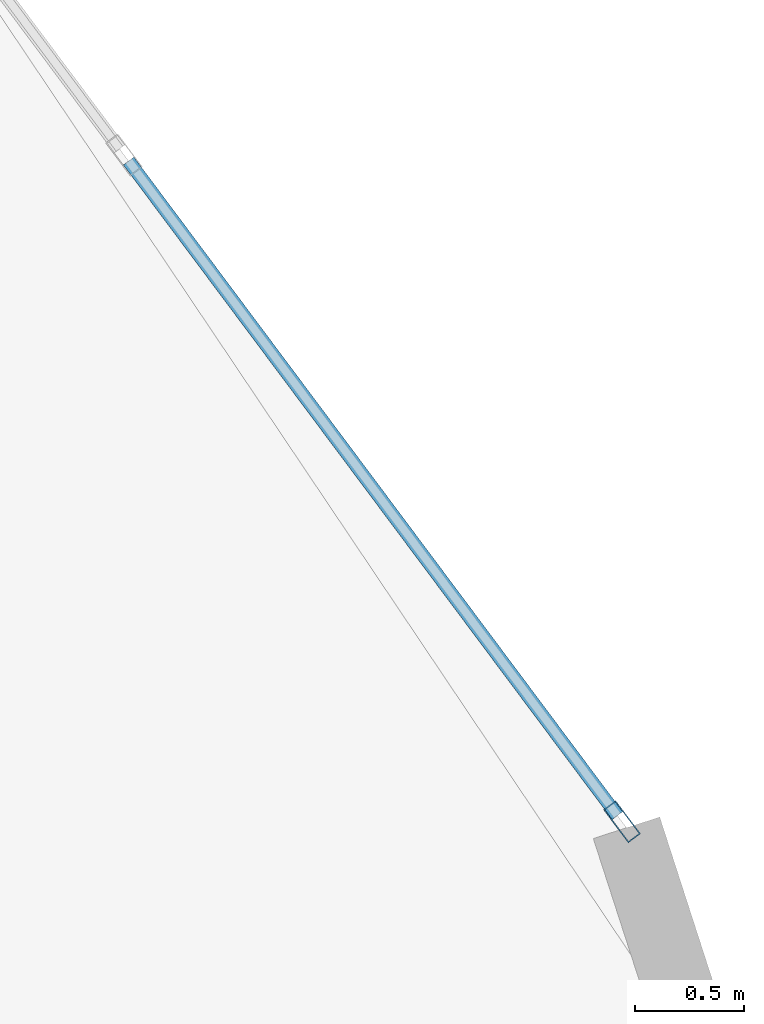
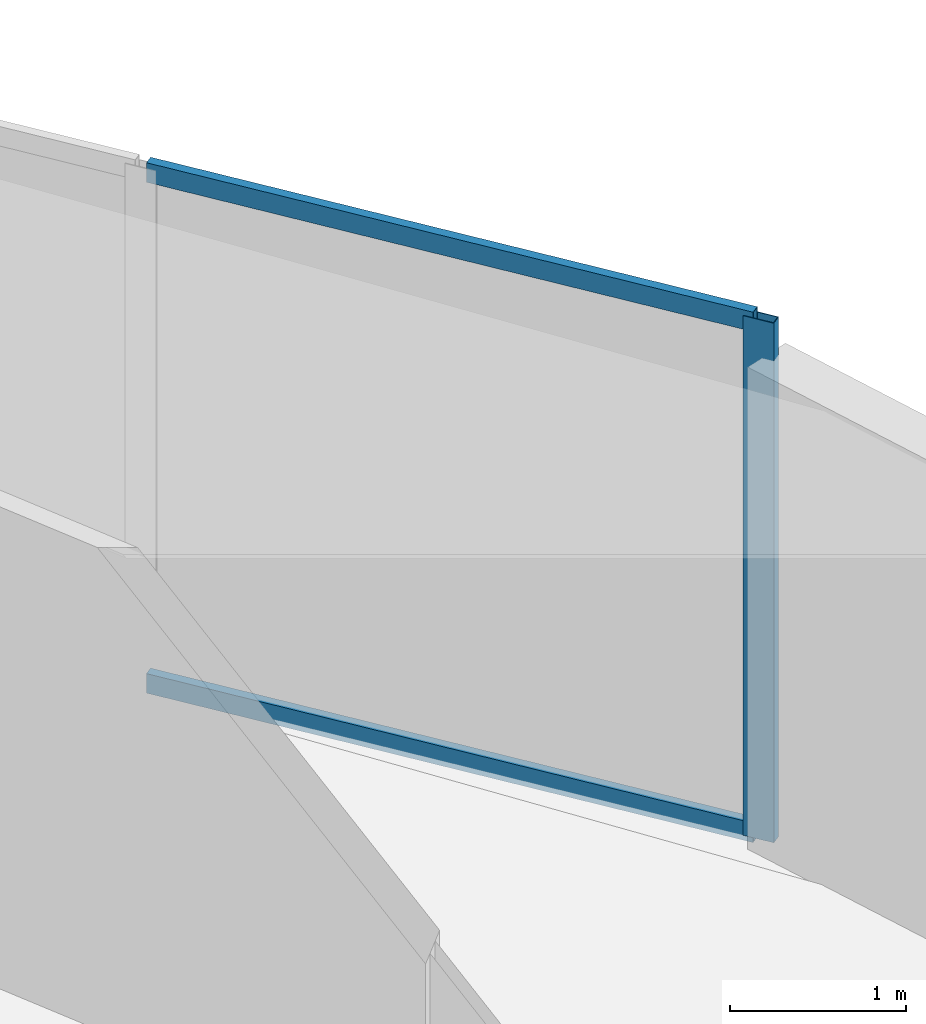
# One storey, part 12 of 25: 3 members, 1 element without a shape of its own.
"""IFC4 building model written with IfcOpenShell, lengths in metres."""

import ifcopenshell
import ifcopenshell.guid

model = None  # the IFC model being written
_history = None  # IfcOwnerHistory: only IFC2X3 demands one
_inside = {}  # id of a spatial element -> (the spatial element, [elements in it])
_under = {}  # id of a project, library or spatial element -> (it, [spatial elements below it])
_declared = {}  # id of a project -> (the project, [libraries it declares])
_typed = {}  # id of a type object -> (the type object, [elements of that type])
_made_of = {}  # id of a material, layer set ... -> (it, [elements and type objects made of it])


def new_model(schema):
    """Start an empty IFC model of exactly this schema.

    Asked for "IFC4X3", IfcOpenShell would pick the latest addendum, in which some entities
    have other attributes; the version numbers below select the first issue.
    IFC2X3 requires an IfcOwnerHistory on every rooted entity: one is made here for all.
    """
    global model, _history
    if schema == "IFC4X3":
        model = ifcopenshell.file(schema_version=(4, 3, 0, 0))
    else:
        model = ifcopenshell.file(schema=schema)
    _inside.clear()
    _under.clear()
    _declared.clear()
    _typed.clear()
    _made_of.clear()
    _history = None
    if model.schema == "IFC2X3":
        org = make("IfcOrganization", Name="unknown")
        user = make(
            "IfcPersonAndOrganization",
            ThePerson=make("IfcPerson", FamilyName="unknown"),
            TheOrganization=org,
        )
        app = make(
            "IfcApplication",
            ApplicationDeveloper=org,
            Version="unknown",
            ApplicationFullName="unknown",
            ApplicationIdentifier="unknown",
        )
        _history = make(
            "IfcOwnerHistory",
            OwningUser=user,
            OwningApplication=app,
            ChangeAction="ADDED",
            CreationDate=0,
        )
    return model


def make(cls, **values):
    """One entity of the class cls with the attributes given. An attribute that is None is left unset."""
    return model.create_entity(
        cls, **{name: value for name, value in values.items() if value is not None}
    )


def rooted(cls, **values):
    """An entity with a GlobalId (a new one), such as an element, a storey or a relation."""
    return make(cls, GlobalId=ifcopenshell.guid.new(), OwnerHistory=_history, **values)


def si_unit(unit_type, name, prefix=None):
    """IfcSIUnit, for example si_unit("LENGTHUNIT", "METRE", prefix="MILLI")."""
    return make("IfcSIUnit", UnitType=unit_type, Prefix=prefix, Name=name)


def assignment(units):
    """IfcUnitAssignment: the units of a project."""
    return None if units is None else make("IfcUnitAssignment", Units=units)


def point(xyz):
    """IfcCartesianPoint."""
    return None if xyz is None else make("IfcCartesianPoint", Coordinates=xyz)


def direction(xyz):
    """IfcDirection."""
    return None if xyz is None else make("IfcDirection", DirectionRatios=xyz)


def frame(location, z_axis=None, x_axis=None):
    """IfcAxis2Placement3D, a coordinate frame: its origin and axes. An axis left out is left unset."""
    return make(
        "IfcAxis2Placement3D",
        Location=point(location),
        Axis=direction(z_axis),
        RefDirection=direction(x_axis),
    )


def frame_2d(location, x_axis=None):
    """IfcAxis2Placement2D, a coordinate frame in the plane: its origin and x axis."""
    return make(
        "IfcAxis2Placement2D", Location=point(location), RefDirection=direction(x_axis)
    )


def origin():
    """The frame at (0, 0, 0) with its axes left unset."""
    return frame((0.0, 0.0, 0.0))


def origin_2d():
    """The frame at (0, 0) in the plane with its x axis left unset."""
    return frame_2d((0.0, 0.0))


def place(relative_to, where):
    """IfcLocalPlacement: puts the frame where relative to a parent placement (None: the world)."""
    return make(
        "IfcLocalPlacement", PlacementRelTo=relative_to, RelativePlacement=where
    )


def context(
    kind, dimensions, precision=None, world=None, true_north=None, identifier=None
):
    """IfcGeometricRepresentationContext, for example the 3D "Model" context."""
    return make(
        "IfcGeometricRepresentationContext",
        ContextIdentifier=identifier,
        ContextType=kind,
        CoordinateSpaceDimension=dimensions,
        Precision=precision,
        WorldCoordinateSystem=world,
        TrueNorth=true_north,
    )


def subcontext(parent, identifier, kind, view, scale=None):
    """IfcGeometricRepresentationSubContext, for example "Body" below "Model"."""
    return make(
        "IfcGeometricRepresentationSubContext",
        ContextIdentifier=identifier,
        ContextType=kind,
        ParentContext=parent,
        TargetScale=scale,
        TargetView=view,
    )


def project(units=None, contexts=None):
    """IfcProject with its units and contexts."""
    return rooted(
        "IfcProject",
        Name="project",
        RepresentationContexts=contexts,
        UnitsInContext=assignment(units),
    )


def spatial(cls, under=None, at=None, **own):
    """A site, building, storey or space (cls), placed at a placement, below another one or the project."""
    s = rooted(cls, ObjectPlacement=at, **own)
    if under is not None:
        _under.setdefault(under.id(), (under, []))[1].append(s)
    return s


def profile(cls, at=None, kind="AREA", **sizes):
    """A parametric profile (cls). Its sizes go by their IFC names, for example OverallWidth=200.0."""
    return make(cls, ProfileType=kind, Position=at, **sizes)


def hollow_rectangle(**sizes):
    """IfcRectangleHollowProfileDef."""
    return profile("IfcRectangleHollowProfileDef", **sizes)


def extrude(swept, where, along, depth):
    """IfcExtrudedAreaSolid: the profile swept, set in the frame where, extruded along a direction by depth."""
    return make(
        "IfcExtrudedAreaSolid",
        SweptArea=swept,
        Position=where,
        ExtrudedDirection=direction(along),
        Depth=depth,
    )


def shape(context_of_items, identifier, shape_type, items):
    """IfcShapeRepresentation: the items that make up one representation, for example the "Body"."""
    return make(
        "IfcShapeRepresentation",
        ContextOfItems=context_of_items,
        RepresentationIdentifier=identifier,
        RepresentationType=shape_type,
        Items=items,
    )


def source(mapping_origin, context_of_items, identifier, shape_type, items):
    """IfcRepresentationMap: a shape defined once, which mapped items show again and again."""
    return make(
        "IfcRepresentationMap",
        MappingOrigin=mapping_origin,
        MappedRepresentation=shape(context_of_items, identifier, shape_type, items),
    )


def transform(
    local_origin,
    x_axis=None,
    y_axis=None,
    z_axis=None,
    scale=None,
    scale2=None,
    scale3=None,
    uniform=True,
):
    """IfcCartesianTransformationOperator3D, or its non-uniform kind. x_axis, y_axis, z_axis: its Axis1, 2, 3."""
    if uniform:
        return make(
            "IfcCartesianTransformationOperator3D",
            Axis1=direction(x_axis),
            Axis2=direction(y_axis),
            LocalOrigin=point(local_origin),
            Scale=scale,
            Axis3=direction(z_axis),
        )
    return make(
        "IfcCartesianTransformationOperator3DnonUniform",
        Axis1=direction(x_axis),
        Axis2=direction(y_axis),
        LocalOrigin=point(local_origin),
        Scale=scale,
        Axis3=direction(z_axis),
        Scale2=scale2,
        Scale3=scale3,
    )


def mapped(mapping_source, mapping_target):
    """IfcMappedItem: shows the shape of a source again, moved by a transform."""
    return make(
        "IfcMappedItem", MappingSource=mapping_source, MappingTarget=mapping_target
    )


def material(Name=None, Category=None):
    """IfcMaterial."""
    return make("IfcMaterial", Name=Name, Category=Category)


def layer(
    of_material, thickness, ventilated=None, Name=None, Category=None, Priority=None
):
    """IfcMaterialLayer: one layer of a wall or slab, of a material (None: an air gap)."""
    return make(
        "IfcMaterialLayer",
        Material=of_material,
        LayerThickness=thickness,
        IsVentilated=ventilated,
        Name=Name,
        Category=Category,
        Priority=Priority,
    )


def layer_set(layers, Name=None):
    """IfcMaterialLayerSet."""
    return make("IfcMaterialLayerSet", MaterialLayers=layers, LayerSetName=Name)


def material_profile(
    of_material, cross_section, Name=None, Category=None, Priority=None
):
    """IfcMaterialProfile: a cross section and its material."""
    return make(
        "IfcMaterialProfile",
        Name=Name,
        Material=of_material,
        Profile=cross_section,
        Priority=Priority,
        Category=Category,
    )


def profile_set(profiles, Name=None, composite=None):
    """IfcMaterialProfileSet."""
    return make(
        "IfcMaterialProfileSet",
        Name=Name,
        MaterialProfiles=profiles,
        CompositeProfile=composite,
    )


def made_of(thing, what):
    """Note that an element or type object is made of a material, layer set ...; save() writes the relation."""
    if what is not None:
        _made_of.setdefault(what.id(), (what, []))[1].append(thing)
    return thing


def type_object(cls, material=None, **own):
    """A type object (cls), such as IfcWallType, which elements share."""
    return made_of(rooted(cls, **own), material)


def element(
    cls,
    number,
    at=None,
    inside=None,
    cuts=None,
    type_object=None,
    material=None,
    context=None,
    identifier="Body",
    shape_type=None,
    held_by="IfcProductDefinitionShape",
    body=None,
    shapes=None,
    **own,
):
    """One element of the class cls, such as IfcWall. Its Tag is "e" and its number.

    at: its placement. inside: the storey or other place that contains it. cuts: it is an
    opening in that element (IfcRelVoidsElement). A single representation is given by context,
    identifier, shape_type and body (its items); several are given by shapes. held_by: the class
    of the entity that holds the representations. save() writes the other relations.
    """
    e = rooted(cls, Tag="e%d" % number, ObjectPlacement=at, **own)
    if body is not None:
        shapes = [shape(context, identifier, shape_type, body)]
    if shapes is not None:
        e.Representation = make(held_by, Representations=shapes)
    if inside is not None:
        _inside.setdefault(inside.id(), (inside, []))[1].append(e)
    if cuts is not None:
        rooted(
            "IfcRelVoidsElement", RelatingBuildingElement=cuts, RelatedOpeningElement=e
        )
    if type_object is not None:
        _typed.setdefault(type_object.id(), (type_object, []))[1].append(e)
    return made_of(e, material)


def aggregate(whole, parts):
    """IfcRelAggregates: a whole, such as a stair, and the parts it consists of."""
    return rooted("IfcRelAggregates", RelatingObject=whole, RelatedObjects=parts)


def save(model, path):
    """Write the relations noted so far, then the file.

    IfcRelAggregates (storeys below a building ...), IfcRelContainedInSpatialStructure (elements
    in a storey), IfcRelDefinesByType, IfcRelAssociatesMaterial and IfcRelDeclares: one each for
    every whole, place, type object, material and project.
    """
    for whole, parts in _under.values():
        aggregate(whole, parts)
    for where, things in _inside.values():
        rooted(
            "IfcRelContainedInSpatialStructure",
            RelatedElements=things,
            RelatingStructure=where,
        )
    for kind, things in _typed.values():
        rooted("IfcRelDefinesByType", RelatedObjects=things, RelatingType=kind)
    for what, things in _made_of.values():
        rooted("IfcRelAssociatesMaterial", RelatedObjects=things, RelatingMaterial=what)
    for by, libraries in _declared.values():
        rooted("IfcRelDeclares", RelatingContext=by, RelatedDefinitions=libraries)
    model.write(path)


model = new_model("IFC4")

# Units and contexts
model_context = context("Model", 3, precision=1e-05, world=origin(), true_north=direction((0.0, 1.0)))
body_context = subcontext(model_context, "Body", "Model", "MODEL_VIEW")
ifc_project = project(units=[si_unit("LENGTHUNIT", "METRE"), si_unit("AREAUNIT", "SQUARE_METRE"), si_unit("VOLUMEUNIT", "CUBIC_METRE"), si_unit("PLANEANGLEUNIT", "RADIAN"), si_unit("MASSUNIT", "GRAM", prefix="KILO")], contexts=[model_context])

# Site, building, storey
site_placement = place(None, origin())
site = spatial("IfcSite", under=ifc_project, at=site_placement, CompositionType="ELEMENT")
building_placement = place(site_placement, origin())
building = spatial("IfcBuilding", under=site, at=building_placement, Name="Solvirekh Grand Hotel", CompositionType="ELEMENT")
storey_placement = place(building_placement, frame((0.0, 0.0, 57.199951171875)))
storey = spatial("IfcBuildingStorey", under=building, at=storey_placement, Name="L13", CompositionType="ELEMENT", Elevation=57.199951171875)

# Curtain wall, members
ifc_material = material(Name="Anodized Bronze Aluminium 6063-T6", Category="aluminium")
ifc_layer = layer(ifc_material, 0.18994140625)
ifc_layer_set = layer_set([ifc_layer], Name="Anodized Bronze Aluminium 6063-T6")
curtain_wall_type = type_object("IfcCurtainWallType", Name="CW_Sys2_LowZoneFlushBronzeCW", PredefinedType="NOTDEFINED", material=ifc_layer_set)
curtain_wall_placement = place(storey_placement, origin())
curtain_wall = element("IfcCurtainWall", 1, at=curtain_wall_placement, inside=storey, type_object=curtain_wall_type, Name="L13 unitised bronze-glass curtain wall CW-L13-C03", PredefinedType="NOTDEFINED")
ifc_material_profile_1 = material_profile(ifc_material, hollow_rectangle(XDim=0.070068359375, YDim=0.18994140625, WallThickness=0.0048828125, at=origin_2d()), Name="ALU RHS 190X70X5")
ifc_profile_set_1 = profile_set([ifc_material_profile_1], Name="Anodized Bronze Aluminium 6063-T6")
member_type_1 = type_object("IfcMemberType", Name="CWMullion_Sys2", PredefinedType="MULLION", material=ifc_profile_set_1)
shared_shape_1 = source(origin(), body_context, "Body", "SweptSolid", [
    extrude(hollow_rectangle(XDim=0.070068359375, YDim=0.18994140625, WallThickness=0.0048828125, at=origin_2d()), origin(), (0.0, 0.0, 1.0), 3.60009765625),
])
member_1_placement = place(storey_placement, frame((23.162109375, 7.257080078125, 0.0), z_axis=(0.0, 0.0, 1.0), x_axis=(-0.801275244667, -0.598295898601, 0.0)))
member_1 = element("IfcMember", 2, at=member_1_placement, type_object=member_type_1, Name="U02 mullion 1", PredefinedType="MULLION", context=body_context, shape_type="MappedRepresentation", body=[
    mapped(shared_shape_1, transform((0.0, 0.0, 0.0), x_axis=(1.0, 0.0, 0.0), y_axis=(0.0, 1.0, 0.0), z_axis=(0.0, 0.0, 1.0), scale=1.0)),
])
ifc_material_profile_2 = material_profile(ifc_material, hollow_rectangle(XDim=0.06005859375, YDim=0.135009765625, WallThickness=0.00390625, at=origin_2d()), Name="ALU RHS 135X60X4")
ifc_profile_set_2 = profile_set([ifc_material_profile_2], Name="Anodized Bronze Aluminium 6063-T6")
member_type_2 = type_object("IfcMemberType", Name="CWTransom_Sys2", PredefinedType="USERDEFINED", material=ifc_profile_set_2)
shared_shape_2 = source(origin(), body_context, "Body", "SweptSolid", [
    extrude(hollow_rectangle(XDim=0.06005859375, YDim=0.135009765625, WallThickness=0.00390625, at=origin_2d()), origin(), (0.0, 0.0, 1.0), 3.74755859375),
])
member_2_placement = place(storey_placement, frame((23.14111328125, 7.28515625, 0.030029296875), z_axis=(-0.598320463872, 0.801256901694, 0.0), x_axis=(-0.801256901694, -0.598320463872, 0.0)))
member_2 = element("IfcMember", 3, at=member_2_placement, type_object=member_type_2, Name="U02 transom 1.1", ObjectType="TRANSOM", PredefinedType="USERDEFINED", context=body_context, shape_type="MappedRepresentation", body=[
    mapped(shared_shape_2, transform((0.0, 0.0, 0.0), x_axis=(1.0, 0.0, 0.0), y_axis=(0.0, 1.0, 0.0), z_axis=(0.0, 0.0, 1.0), scale=1.0)),
])
member_3_placement = place(storey_placement, frame((23.14111328125, 7.28515625, 3.570068359375), z_axis=(-0.598320463872, 0.801256901694, 0.0), x_axis=(-0.801256901694, -0.598320463872, 0.0)))
member_3 = element("IfcMember", 4, at=member_3_placement, type_object=member_type_2, Name="U02 transom 1.2", ObjectType="TRANSOM", PredefinedType="USERDEFINED", context=body_context, shape_type="MappedRepresentation", body=[
    mapped(shared_shape_2, transform((0.0, 0.0, 0.0), x_axis=(1.0, 0.0, 0.0), y_axis=(0.0, 1.0, 0.0), z_axis=(0.0, 0.0, 1.0), scale=1.0)),
])
aggregate(curtain_wall, [member_1, member_2, member_3])

save(model, "model.ifc")
